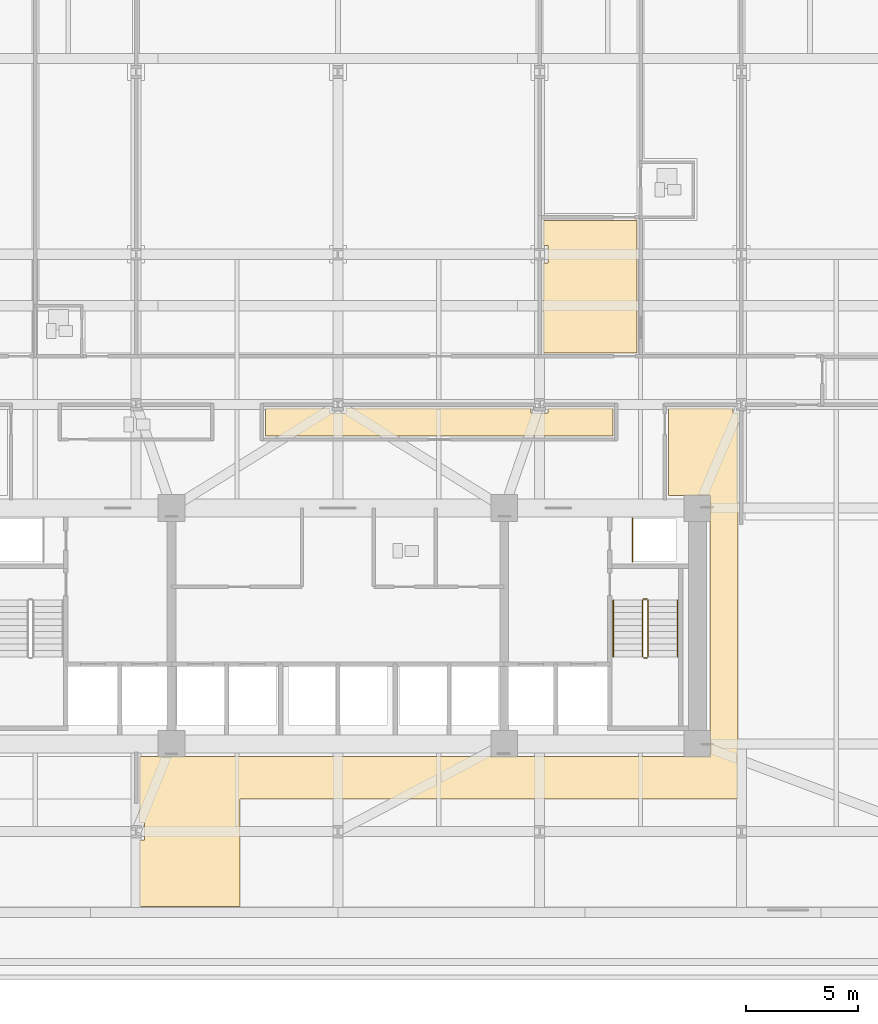
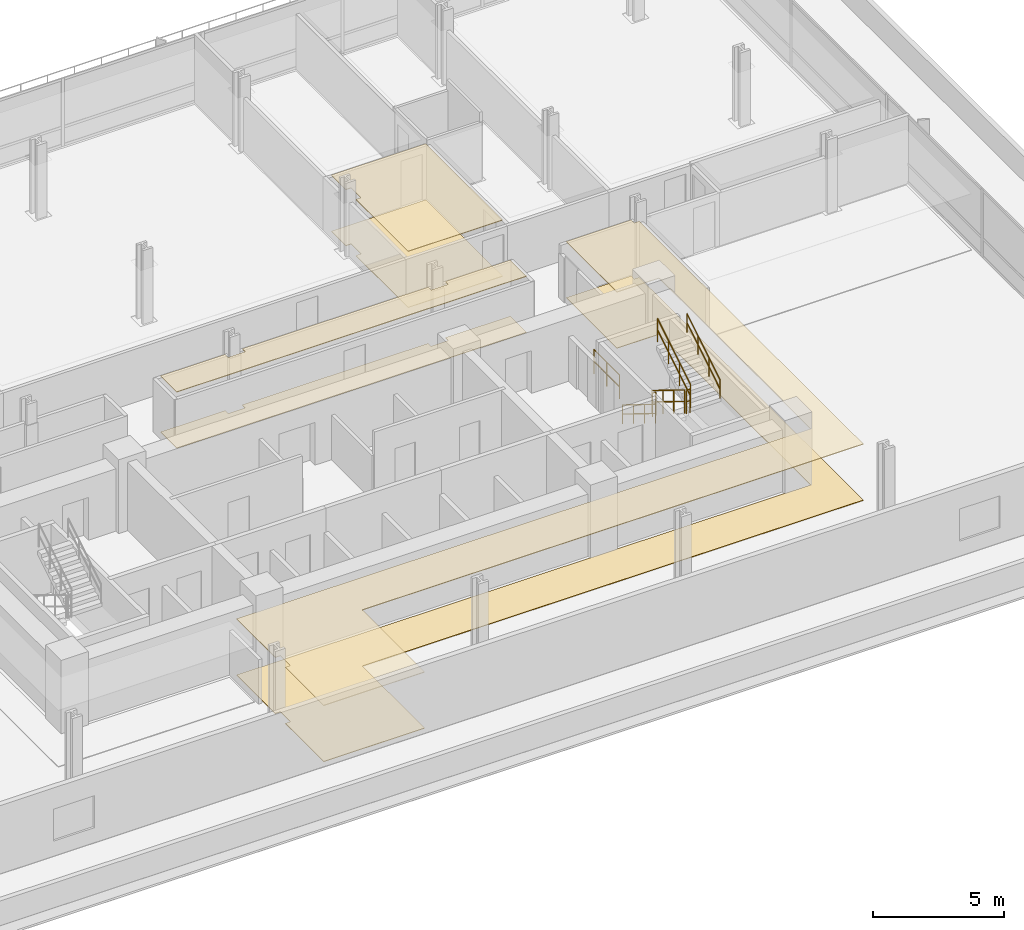
# One storey, part 23 of 25: 7 railings, 6 coverings.
"""IFC4 building model written with IfcOpenShell, lengths in metres."""

from ifc_helpers import new_model, si_unit, direction, frame, origin, origin_2d, place, context, subcontext, project, spatial, polyline, circle, outline, extrude, material, layer, layer_set, type_object, element, save


model = new_model("IFC4")

# Units and contexts
model_context = context("Model", 3, precision=1e-05, world=origin(), true_north=direction((0.0, 1.0)))
body_context = subcontext(model_context, "Body", "Model", "MODEL_VIEW")
ifc_project = project(units=[si_unit("LENGTHUNIT", "METRE"), si_unit("AREAUNIT", "SQUARE_METRE"), si_unit("VOLUMEUNIT", "CUBIC_METRE"), si_unit("PLANEANGLEUNIT", "RADIAN"), si_unit("MASSUNIT", "GRAM", prefix="KILO")], contexts=[model_context])

# Site, building, storey
site_placement = place(None, origin())
site = spatial("IfcSite", under=ifc_project, at=site_placement, CompositionType="ELEMENT")
building_placement = place(site_placement, origin())
building = spatial("IfcBuilding", under=site, at=building_placement, Name="Solmavex Isthmus Hotel", CompositionType="ELEMENT")
storey_placement = place(building_placement, frame((0.0, 0.0, 26.39990234375)))
storey = spatial("IfcBuildingStorey", under=building, at=storey_placement, Name="L06", CompositionType="ELEMENT", Elevation=26.39990234375)

# Coverings
ifc_material_1 = material(Name="Gypsum plasterboard lining", Category="gypsum")
ifc_layer_1 = layer(ifc_material_1, 0.030029296875)
ifc_layer_set_1 = layer_set([ifc_layer_1], Name="Gypsum plasterboard lining")
covering_type_1 = type_object("IfcCoveringType", Name="COV-CEIL-GYP", PredefinedType="CEILING", material=ifc_layer_set_1)
covering_1_placement = place(storey_placement, frame((0.0, 0.0, 2.6201171875)))
element("IfcCovering", 1, at=covering_1_placement, inside=storey, type_object=covering_type_1, Name="Suspended Acoustic Ceiling L06-SL05-FY", PredefinedType="CEILING", context=body_context, shape_type="SweptSolid", body=[
    extrude(outline(polyline([(9.131103515625, 9.16796875), (9.35595703125, 9.16796875), (9.35595703125, 8.407958984375), (9.131103515625, 8.407958984375), (9.131103515625, 4.405029296875), (13.30908203125, 4.405029296875), (13.30908203125, 10.282958984375), (9.131103515625, 10.282958984375), (9.131103515625, 9.16796875)])), origin(), (0.0, 0.0, 1.0), 0.030029296875),
])
covering_2_placement = place(storey_placement, frame((0.0, 0.0, 2.6201171875)))
element("IfcCovering", 2, at=covering_2_placement, inside=storey, type_object=covering_type_1, Name="Suspended Acoustic Ceiling L06-FL10", PredefinedType="CEILING", context=body_context, shape_type="SweptSolid", body=[
    extrude(outline(polyline([(0.3798828125, 1.945068359375), (0.3798828125, 1.719970703125), (-0.3798828125, 1.719970703125), (-0.3798828125, 1.945068359375), (-3.23291015625, 1.945068359375), (-3.23291015625, 0.705078125), (12.22900390625, 0.705078125), (12.22900390625, 1.945068359375), (9.35595703125, 1.945068359375), (9.35595703125, 1.719970703125), (8.595947265625, 1.719970703125), (8.595947265625, 1.945068359375), (0.3798828125, 1.945068359375)])), origin(), (0.0, 0.0, 1.0), 0.030029296875),
])
covering_3_placement = place(storey_placement, frame((0.0, 0.0, 2.6201171875)))
element("IfcCovering", 3, at=covering_3_placement, inside=storey, type_object=covering_type_1, Name="Suspended Acoustic Ceiling L06-FL14", PredefinedType="CEILING", context=body_context, shape_type="SweptSolid", body=[
    extrude(outline(polyline([(17.797119140625, 1.719970703125), (17.572021484375, 1.719970703125), (17.572021484375, 1.945068359375), (14.698974609375, 1.945068359375), (14.698974609375, -1.945068359375), (16.554931640625, -1.945068359375), (16.554931640625, -13.554931640625), (-8.821044921875, -13.554931640625), (-8.821044921875, -16.52001953125), (-8.595947265625, -16.52001953125), (-8.595947265625, -17.280029296875), (-8.821044921875, -17.280029296875), (-8.821044921875, -20.22509765625), (-4.35498046875, -20.22509765625), (-4.35498046875, -15.445068359375), (17.797119140625, -15.445068359375), (17.797119140625, 1.719970703125)])), origin(), (0.0, 0.0, 1.0), 0.030029296875),
])
ifc_material_2 = material(Name="Travertine natural stone", Category="masonry")
ifc_layer_2 = layer(ifc_material_2, 0.02490234375)
ifc_layer_set_2 = layer_set([ifc_layer_2], Name="Travertine natural stone")
covering_type_2 = type_object("IfcCoveringType", Name="COV-FLOR-STN", PredefinedType="FLOORING", material=ifc_layer_set_2)
covering_4_placement = place(storey_placement, origin())
element("IfcCovering", 4, at=covering_4_placement, inside=storey, type_object=covering_type_2, Name="Stone and Timber Floor Finish L06-SL05-FY", PredefinedType="FLOORING", context=body_context, shape_type="SweptSolid", body=[
    extrude(outline(polyline([(9.131103515625, 9.16796875), (9.35595703125, 9.16796875), (9.35595703125, 8.407958984375), (9.131103515625, 8.407958984375), (9.131103515625, 4.405029296875), (13.30908203125, 4.405029296875), (13.30908203125, 10.282958984375), (9.131103515625, 10.282958984375), (9.131103515625, 9.16796875)])), origin(), (0.0, 0.0, 1.0), 0.025146484375),
])
covering_5_placement = place(storey_placement, origin())
element("IfcCovering", 5, at=covering_5_placement, inside=storey, type_object=covering_type_2, Name="Stone and Timber Floor Finish L06-FL10", PredefinedType="FLOORING", context=body_context, shape_type="SweptSolid", body=[
    extrude(outline(polyline([(0.3798828125, 1.945068359375), (0.3798828125, 1.719970703125), (-0.3798828125, 1.719970703125), (-0.3798828125, 1.945068359375), (-3.23291015625, 1.945068359375), (-3.23291015625, 0.705078125), (12.22900390625, 0.705078125), (12.22900390625, 1.945068359375), (9.35595703125, 1.945068359375), (9.35595703125, 1.719970703125), (8.595947265625, 1.719970703125), (8.595947265625, 1.945068359375), (0.3798828125, 1.945068359375)])), origin(), (0.0, 0.0, 1.0), 0.025146484375),
])
covering_6_placement = place(storey_placement, origin())
element("IfcCovering", 6, at=covering_6_placement, inside=storey, type_object=covering_type_2, Name="Stone and Timber Floor Finish L06-FL14", PredefinedType="FLOORING", context=body_context, shape_type="SweptSolid", body=[
    extrude(outline(polyline([(17.797119140625, 1.719970703125), (17.572021484375, 1.719970703125), (17.572021484375, 1.945068359375), (14.698974609375, 1.945068359375), (14.698974609375, -1.945068359375), (16.554931640625, -1.945068359375), (16.554931640625, -13.554931640625), (-8.821044921875, -13.554931640625), (-8.821044921875, -16.52001953125), (-8.595947265625, -16.52001953125), (-8.595947265625, -17.280029296875), (-8.821044921875, -17.280029296875), (-8.821044921875, -20.22509765625), (-4.35498046875, -20.22509765625), (-4.35498046875, -15.445068359375), (17.797119140625, -15.445068359375), (17.797119140625, 1.719970703125)])), origin(), (0.0, 0.0, 1.0), 0.025146484375),
])

# Railings
ifc_material_3 = material(Name="Clear low-E laminated glass", Category="glass")
ifc_layer_3 = layer(ifc_material_3, 0.080078125)
ifc_layer_set_3 = layer_set([ifc_layer_3], Name="Clear low-E laminated glass")
railing_type_1 = type_object("IfcRailingType", Name="RAIL-ATRIUM-1120", PredefinedType="BALUSTRADE", material=ifc_layer_set_3)
railing_1_placement = place(storey_placement, frame((13.10009765625, -4.89990234375, 0.0)))
element("IfcRailing", 7, at=railing_1_placement, inside=storey, type_object=railing_type_1, Name="Guardrail Balustrade L06-RSE-01", PredefinedType="BALUSTRADE", context=body_context, shape_type="SweptSolid", body=[
    extrude(circle(Radius=0.02392578125, at=origin_2d()), frame((0.0, 0.0, 1.1259765625), z_axis=(0.0, 1.0, 0.0), x_axis=(-1.0, 0.0, 0.0)), (0.0, 0.0, 1.0), 1.949951171875),
    extrude(circle(Radius=0.02392578125, at=origin_2d()), frame((0.0, 0.0, 0.574951171875), z_axis=(0.0, 1.0, 0.0), x_axis=(-1.0, 0.0, 0.0)), (0.0, 0.0, 1.0), 1.949951171875),
    extrude(circle(Radius=0.02099609375, at=origin_2d()), origin(), (0.0, 0.0, 1.0), 1.101806640625),
    extrude(circle(Radius=0.02099609375, at=origin_2d()), frame((0.0, 0.97509765625, 0.0)), (0.0, 0.0, 1.0), 1.101806640625),
    extrude(circle(Radius=0.02099609375, at=origin_2d()), frame((0.0, 1.949951171875, 0.0)), (0.0, 0.0, 1.0), 1.101806640625),
])
ifc_material_4 = material(Name="Stainless steel 316", Category="steel")
ifc_layer_4 = layer(ifc_material_4, 0.06005859375)
ifc_layer_set_4 = layer_set([ifc_layer_4], Name="Stainless steel 316")
railing_type_2 = type_object("IfcRailingType", Name="RAIL-STAIR-GD", PredefinedType="GUARDRAIL", material=ifc_layer_set_4)
railing_2_placement = place(storey_placement, frame((13.550048828125, -6.60009765625, 0.172607421875)))
element("IfcRailing", 8, at=railing_2_placement, inside=storey, type_object=railing_type_2, Name="L06 ST-2 stair guard 1", PredefinedType="GUARDRAIL", context=body_context, shape_type="SweptSolid", body=[
    extrude(circle(Radius=0.02392578125, at=origin_2d()), frame((0.0, 0.0, 1.09619140625), z_axis=(0.0, -0.851400495292, 0.524516154772), x_axis=(1.0, 0.0, 0.0)), (0.0, 0.0, 1.0), 2.9599609375),
    extrude(circle(Radius=0.02392578125, at=origin_2d()), frame((0.0, 0.0, 0.56005859375), z_axis=(0.0, -0.851400495292, 0.524516154772), x_axis=(1.0, 0.0, 0.0)), (0.0, 0.0, 1.0), 2.9599609375),
    extrude(circle(Radius=0.02099609375, at=origin_2d()), origin(), (0.0, 0.0, 1.0), 1.072021484375),
    extrude(circle(Radius=0.02099609375, at=origin_2d()), frame((0.0, -0.840087890625, 0.517578125)), (0.0, 0.0, 1.0), 1.072021484375),
    extrude(circle(Radius=0.02099609375, at=origin_2d()), frame((0.0, -1.679931640625, 1.034912109375)), (0.0, 0.0, 1.0), 1.072021484375),
    extrude(circle(Radius=0.02099609375, at=origin_2d()), frame((0.0, -2.52001953125, 1.552490234375)), (0.0, 0.0, 1.0), 1.072021484375),
])
railing_3_placement = place(storey_placement, frame((13.60009765625, -9.169921875, 1.72509765625)))
element("IfcRailing", 9, at=railing_3_placement, inside=storey, type_object=railing_type_2, Name="L06 ST-2 stair guard 2", PredefinedType="GUARDRAIL", context=body_context, shape_type="SweptSolid", body=[
    extrude(circle(Radius=0.02392578125, at=origin_2d()), frame((0.0, 0.0, 1.09619140625), z_axis=(1.0, 0.0, 0.0), x_axis=(0.0, 1.0, 0.0)), (0.0, 0.0, 1.0), 0.14990234375),
    extrude(circle(Radius=0.02392578125, at=origin_2d()), frame((0.0, 0.0, 0.56005859375), z_axis=(1.0, 0.0, 0.0), x_axis=(0.0, 1.0, 0.0)), (0.0, 0.0, 1.0), 0.14990234375),
    extrude(circle(Radius=0.02099609375, at=origin_2d()), origin(), (0.0, 0.0, 1.0), 1.072021484375),
    extrude(circle(Radius=0.02099609375, at=origin_2d()), frame((0.14990234375, 0.0, 0.0)), (0.0, 0.0, 1.0), 1.072021484375),
])
railing_4_placement = place(storey_placement, frame((13.800048828125, -9.1201171875, 1.897705078125)))
element("IfcRailing", 10, at=railing_4_placement, inside=storey, type_object=railing_type_2, Name="L06 ST-2 stair guard 3", PredefinedType="GUARDRAIL", context=body_context, shape_type="SweptSolid", body=[
    extrude(circle(Radius=0.02392578125, at=origin_2d()), frame((0.0, 0.0, 1.09619140625), z_axis=(0.0, 0.851400495292, 0.524516154772), x_axis=(-1.0, 0.0, 0.0)), (0.0, 0.0, 1.0), 2.9599609375),
    extrude(circle(Radius=0.02392578125, at=origin_2d()), frame((0.0, 0.0, 0.56005859375), z_axis=(0.0, 0.851400495292, 0.524516154772), x_axis=(-1.0, 0.0, 0.0)), (0.0, 0.0, 1.0), 2.9599609375),
    extrude(circle(Radius=0.02099609375, at=origin_2d()), origin(), (0.0, 0.0, 1.0), 1.072021484375),
    extrude(circle(Radius=0.02099609375, at=origin_2d()), frame((0.0, 0.840087890625, 0.517578125)), (0.0, 0.0, 1.0), 1.072021484375),
    extrude(circle(Radius=0.02099609375, at=origin_2d()), frame((0.0, 1.679931640625, 1.034912109375)), (0.0, 0.0, 1.0), 1.072021484375),
    extrude(circle(Radius=0.02099609375, at=origin_2d()), frame((0.0, 2.52001953125, 1.552490234375)), (0.0, 0.0, 1.0), 1.072021484375),
])
railing_5_placement = place(storey_placement, frame((13.60009765625, -6.550048828125, 0.0)))
element("IfcRailing", 11, at=railing_5_placement, inside=storey, type_object=railing_type_2, Name="L06 ST-2 stair guard 4", PredefinedType="GUARDRAIL", context=body_context, shape_type="SweptSolid", body=[
    extrude(circle(Radius=0.02392578125, at=origin_2d()), frame((0.0, 0.0, 1.09619140625), z_axis=(1.0, 0.0, 0.0), x_axis=(0.0, 1.0, 0.0)), (0.0, 0.0, 1.0), 0.14990234375),
    extrude(circle(Radius=0.02392578125, at=origin_2d()), frame((0.0, 0.0, 0.56005859375), z_axis=(1.0, 0.0, 0.0), x_axis=(0.0, 1.0, 0.0)), (0.0, 0.0, 1.0), 0.14990234375),
    extrude(circle(Radius=0.02099609375, at=origin_2d()), origin(), (0.0, 0.0, 1.0), 1.072021484375),
    extrude(circle(Radius=0.02099609375, at=origin_2d()), frame((0.14990234375, 0.0, 0.0)), (0.0, 0.0, 1.0), 1.072021484375),
])
ifc_layer_5 = layer(ifc_material_4, 0.050048828125)
ifc_layer_set_5 = layer_set([ifc_layer_5], Name="Stainless steel 316")
railing_type_3 = type_object("IfcRailingType", Name="RAIL-STAIR-HR", PredefinedType="HANDRAIL", material=ifc_layer_set_5)
railing_6_placement = place(storey_placement, frame((12.25, -6.60009765625, 0.172607421875)))
element("IfcRailing", 12, at=railing_6_placement, inside=storey, type_object=railing_type_3, Name="L06 ST-2 stair handrail 1", PredefinedType="HANDRAIL", context=body_context, shape_type="SweptSolid", body=[
    extrude(circle(Radius=0.02392578125, at=origin_2d()), frame((0.0, 0.0, 0.8759765625), z_axis=(0.0, -0.851400495292, 0.524516154772), x_axis=(1.0, 0.0, 0.0)), (0.0, 0.0, 1.0), 2.9599609375),
    extrude(circle(Radius=0.02392578125, at=origin_2d()), frame((0.0, 0.0, 0.449951171875), z_axis=(0.0, -0.851400495292, 0.524516154772), x_axis=(1.0, 0.0, 0.0)), (0.0, 0.0, 1.0), 2.9599609375),
    extrude(circle(Radius=0.02099609375, at=origin_2d()), origin(), (0.0, 0.0, 1.0), 0.851806640625),
    extrude(circle(Radius=0.02099609375, at=origin_2d()), frame((0.0, -0.840087890625, 0.517578125)), (0.0, 0.0, 1.0), 0.851806640625),
    extrude(circle(Radius=0.02099609375, at=origin_2d()), frame((0.0, -1.679931640625, 1.034912109375)), (0.0, 0.0, 1.0), 0.851806640625),
    extrude(circle(Radius=0.02099609375, at=origin_2d()), frame((0.0, -2.52001953125, 1.552490234375)), (0.0, 0.0, 1.0), 0.851806640625),
])
railing_7_placement = place(storey_placement, frame((15.10009765625, -9.1201171875, 1.897705078125)))
element("IfcRailing", 13, at=railing_7_placement, inside=storey, type_object=railing_type_3, Name="L06 ST-2 stair handrail 2", PredefinedType="HANDRAIL", context=body_context, shape_type="SweptSolid", body=[
    extrude(circle(Radius=0.02392578125, at=origin_2d()), frame((0.0, 0.0, 0.8759765625), z_axis=(0.0, 0.851400495292, 0.524516154772), x_axis=(-1.0, 0.0, 0.0)), (0.0, 0.0, 1.0), 2.9599609375),
    extrude(circle(Radius=0.02392578125, at=origin_2d()), frame((0.0, 0.0, 0.449951171875), z_axis=(0.0, 0.851400495292, 0.524516154772), x_axis=(-1.0, 0.0, 0.0)), (0.0, 0.0, 1.0), 2.9599609375),
    extrude(circle(Radius=0.02099609375, at=origin_2d()), origin(), (0.0, 0.0, 1.0), 0.851806640625),
    extrude(circle(Radius=0.02099609375, at=origin_2d()), frame((0.0, 0.840087890625, 0.517578125)), (0.0, 0.0, 1.0), 0.851806640625),
    extrude(circle(Radius=0.02099609375, at=origin_2d()), frame((0.0, 1.679931640625, 1.034912109375)), (0.0, 0.0, 1.0), 0.851806640625),
    extrude(circle(Radius=0.02099609375, at=origin_2d()), frame((0.0, 2.52001953125, 1.552490234375)), (0.0, 0.0, 1.0), 0.851806640625),
])

save(model, "model.ifc")
